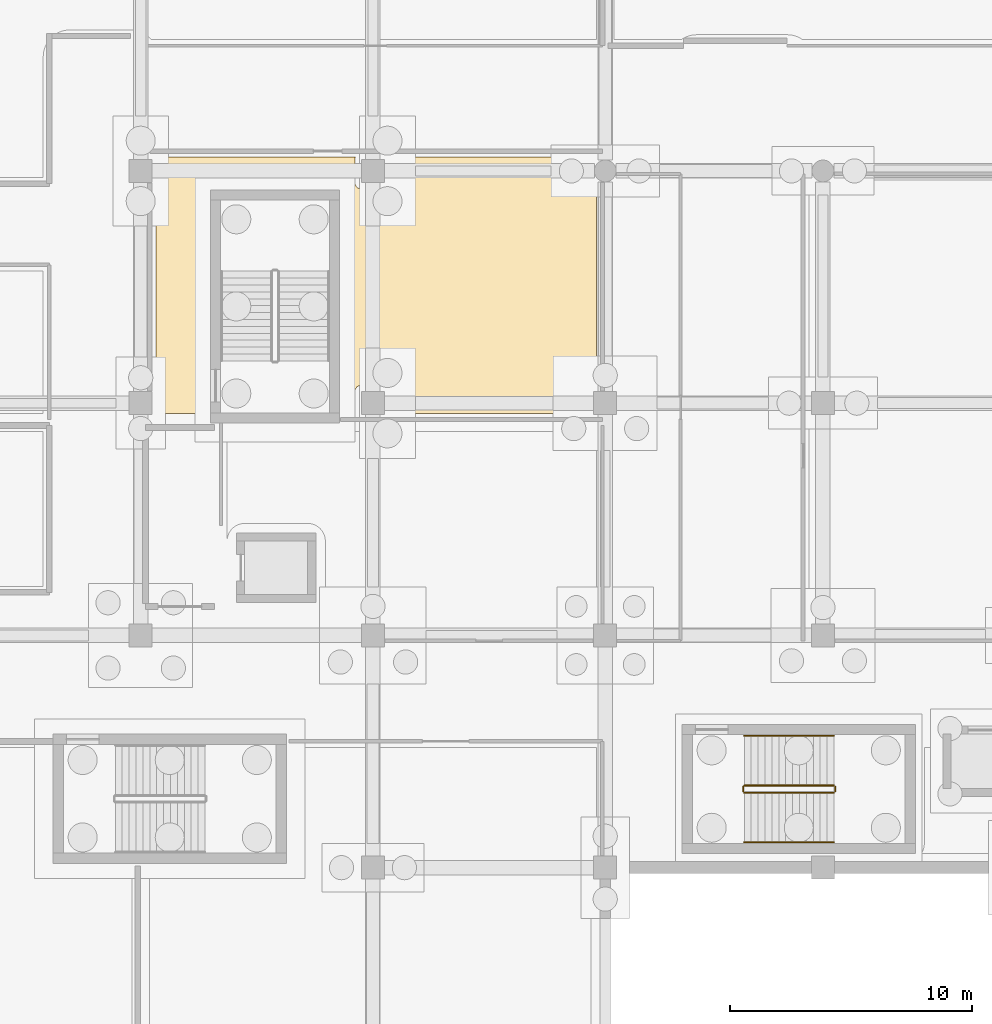
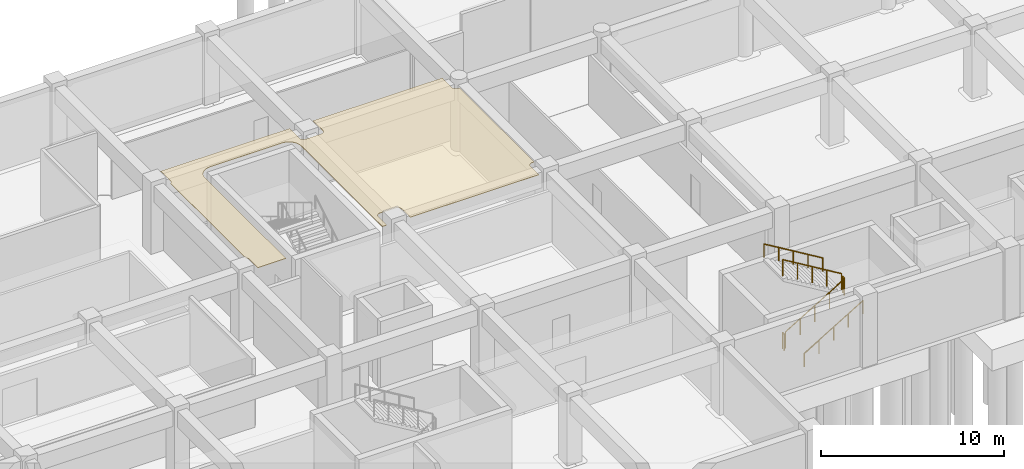
# One storey, part 31 of 47: 6 railings, 1 covering.
"""IFC4 building model written with IfcOpenShell, lengths in metres."""

import ifcopenshell
import ifcopenshell.guid

model = None  # the IFC model being written
_history = None  # IfcOwnerHistory: only IFC2X3 demands one
_inside = {}  # id of a spatial element -> (the spatial element, [elements in it])
_under = {}  # id of a project, library or spatial element -> (it, [spatial elements below it])
_declared = {}  # id of a project -> (the project, [libraries it declares])
_typed = {}  # id of a type object -> (the type object, [elements of that type])
_made_of = {}  # id of a material, layer set ... -> (it, [elements and type objects made of it])


def new_model(schema):
    """Start an empty IFC model of exactly this schema.

    Asked for "IFC4X3", IfcOpenShell would pick the latest addendum, in which some entities
    have other attributes; the version numbers below select the first issue.
    IFC2X3 requires an IfcOwnerHistory on every rooted entity: one is made here for all.
    """
    global model, _history
    if schema == "IFC4X3":
        model = ifcopenshell.file(schema_version=(4, 3, 0, 0))
    else:
        model = ifcopenshell.file(schema=schema)
    _inside.clear()
    _under.clear()
    _declared.clear()
    _typed.clear()
    _made_of.clear()
    _history = None
    if model.schema == "IFC2X3":
        org = make("IfcOrganization", Name="unknown")
        user = make(
            "IfcPersonAndOrganization",
            ThePerson=make("IfcPerson", FamilyName="unknown"),
            TheOrganization=org,
        )
        app = make(
            "IfcApplication",
            ApplicationDeveloper=org,
            Version="unknown",
            ApplicationFullName="unknown",
            ApplicationIdentifier="unknown",
        )
        _history = make(
            "IfcOwnerHistory",
            OwningUser=user,
            OwningApplication=app,
            ChangeAction="ADDED",
            CreationDate=0,
        )
    return model


def make(cls, **values):
    """One entity of the class cls with the attributes given. An attribute that is None is left unset."""
    return model.create_entity(
        cls, **{name: value for name, value in values.items() if value is not None}
    )


def rooted(cls, **values):
    """An entity with a GlobalId (a new one), such as an element, a storey or a relation."""
    return make(cls, GlobalId=ifcopenshell.guid.new(), OwnerHistory=_history, **values)


def si_unit(unit_type, name, prefix=None):
    """IfcSIUnit, for example si_unit("LENGTHUNIT", "METRE", prefix="MILLI")."""
    return make("IfcSIUnit", UnitType=unit_type, Prefix=prefix, Name=name)


def assignment(units):
    """IfcUnitAssignment: the units of a project."""
    return None if units is None else make("IfcUnitAssignment", Units=units)


def point(xyz):
    """IfcCartesianPoint."""
    return None if xyz is None else make("IfcCartesianPoint", Coordinates=xyz)


def direction(xyz):
    """IfcDirection."""
    return None if xyz is None else make("IfcDirection", DirectionRatios=xyz)


def frame(location, z_axis=None, x_axis=None):
    """IfcAxis2Placement3D, a coordinate frame: its origin and axes. An axis left out is left unset."""
    return make(
        "IfcAxis2Placement3D",
        Location=point(location),
        Axis=direction(z_axis),
        RefDirection=direction(x_axis),
    )


def frame_2d(location, x_axis=None):
    """IfcAxis2Placement2D, a coordinate frame in the plane: its origin and x axis."""
    return make(
        "IfcAxis2Placement2D", Location=point(location), RefDirection=direction(x_axis)
    )


def origin():
    """The frame at (0, 0, 0) with its axes left unset."""
    return frame((0.0, 0.0, 0.0))


def origin_2d():
    """The frame at (0, 0) in the plane with its x axis left unset."""
    return frame_2d((0.0, 0.0))


def place(relative_to, where):
    """IfcLocalPlacement: puts the frame where relative to a parent placement (None: the world)."""
    return make(
        "IfcLocalPlacement", PlacementRelTo=relative_to, RelativePlacement=where
    )


def context(
    kind, dimensions, precision=None, world=None, true_north=None, identifier=None
):
    """IfcGeometricRepresentationContext, for example the 3D "Model" context."""
    return make(
        "IfcGeometricRepresentationContext",
        ContextIdentifier=identifier,
        ContextType=kind,
        CoordinateSpaceDimension=dimensions,
        Precision=precision,
        WorldCoordinateSystem=world,
        TrueNorth=true_north,
    )


def subcontext(parent, identifier, kind, view, scale=None):
    """IfcGeometricRepresentationSubContext, for example "Body" below "Model"."""
    return make(
        "IfcGeometricRepresentationSubContext",
        ContextIdentifier=identifier,
        ContextType=kind,
        ParentContext=parent,
        TargetScale=scale,
        TargetView=view,
    )


def project(units=None, contexts=None):
    """IfcProject with its units and contexts."""
    return rooted(
        "IfcProject",
        Name="project",
        RepresentationContexts=contexts,
        UnitsInContext=assignment(units),
    )


def spatial(cls, under=None, at=None, **own):
    """A site, building, storey or space (cls), placed at a placement, below another one or the project."""
    s = rooted(cls, ObjectPlacement=at, **own)
    if under is not None:
        _under.setdefault(under.id(), (under, []))[1].append(s)
    return s


def polyline(points):
    """IfcPolyline through the points."""
    return make("IfcPolyline", Points=[point(p) for p in points])


def profile(cls, at=None, kind="AREA", **sizes):
    """A parametric profile (cls). Its sizes go by their IFC names, for example OverallWidth=200.0."""
    return make(cls, ProfileType=kind, Position=at, **sizes)


def circle(**sizes):
    """IfcCircleProfileDef."""
    return profile("IfcCircleProfileDef", **sizes)


def outline(outer, holes=None, kind="AREA"):
    """IfcArbitraryClosedProfileDef: a profile drawn as a closed curve; with holes, ...WithVoids."""
    if holes is None:
        return make("IfcArbitraryClosedProfileDef", ProfileType=kind, OuterCurve=outer)
    return make(
        "IfcArbitraryProfileDefWithVoids",
        ProfileType=kind,
        OuterCurve=outer,
        InnerCurves=holes,
    )


def extrude(swept, where, along, depth):
    """IfcExtrudedAreaSolid: the profile swept, set in the frame where, extruded along a direction by depth."""
    return make(
        "IfcExtrudedAreaSolid",
        SweptArea=swept,
        Position=where,
        ExtrudedDirection=direction(along),
        Depth=depth,
    )


def shape(context_of_items, identifier, shape_type, items):
    """IfcShapeRepresentation: the items that make up one representation, for example the "Body"."""
    return make(
        "IfcShapeRepresentation",
        ContextOfItems=context_of_items,
        RepresentationIdentifier=identifier,
        RepresentationType=shape_type,
        Items=items,
    )


def material(Name=None, Category=None):
    """IfcMaterial."""
    return make("IfcMaterial", Name=Name, Category=Category)


def layer(
    of_material, thickness, ventilated=None, Name=None, Category=None, Priority=None
):
    """IfcMaterialLayer: one layer of a wall or slab, of a material (None: an air gap)."""
    return make(
        "IfcMaterialLayer",
        Material=of_material,
        LayerThickness=thickness,
        IsVentilated=ventilated,
        Name=Name,
        Category=Category,
        Priority=Priority,
    )


def layer_set(layers, Name=None):
    """IfcMaterialLayerSet."""
    return make("IfcMaterialLayerSet", MaterialLayers=layers, LayerSetName=Name)


def made_of(thing, what):
    """Note that an element or type object is made of a material, layer set ...; save() writes the relation."""
    if what is not None:
        _made_of.setdefault(what.id(), (what, []))[1].append(thing)
    return thing


def type_object(cls, material=None, **own):
    """A type object (cls), such as IfcWallType, which elements share."""
    return made_of(rooted(cls, **own), material)


def element(
    cls,
    number,
    at=None,
    inside=None,
    cuts=None,
    type_object=None,
    material=None,
    context=None,
    identifier="Body",
    shape_type=None,
    held_by="IfcProductDefinitionShape",
    body=None,
    shapes=None,
    **own,
):
    """One element of the class cls, such as IfcWall. Its Tag is "e" and its number.

    at: its placement. inside: the storey or other place that contains it. cuts: it is an
    opening in that element (IfcRelVoidsElement). A single representation is given by context,
    identifier, shape_type and body (its items); several are given by shapes. held_by: the class
    of the entity that holds the representations. save() writes the other relations.
    """
    e = rooted(cls, Tag="e%d" % number, ObjectPlacement=at, **own)
    if body is not None:
        shapes = [shape(context, identifier, shape_type, body)]
    if shapes is not None:
        e.Representation = make(held_by, Representations=shapes)
    if inside is not None:
        _inside.setdefault(inside.id(), (inside, []))[1].append(e)
    if cuts is not None:
        rooted(
            "IfcRelVoidsElement", RelatingBuildingElement=cuts, RelatedOpeningElement=e
        )
    if type_object is not None:
        _typed.setdefault(type_object.id(), (type_object, []))[1].append(e)
    return made_of(e, material)


def aggregate(whole, parts):
    """IfcRelAggregates: a whole, such as a stair, and the parts it consists of."""
    return rooted("IfcRelAggregates", RelatingObject=whole, RelatedObjects=parts)


def save(model, path):
    """Write the relations noted so far, then the file.

    IfcRelAggregates (storeys below a building ...), IfcRelContainedInSpatialStructure (elements
    in a storey), IfcRelDefinesByType, IfcRelAssociatesMaterial and IfcRelDeclares: one each for
    every whole, place, type object, material and project.
    """
    for whole, parts in _under.values():
        aggregate(whole, parts)
    for where, things in _inside.values():
        rooted(
            "IfcRelContainedInSpatialStructure",
            RelatedElements=things,
            RelatingStructure=where,
        )
    for kind, things in _typed.values():
        rooted("IfcRelDefinesByType", RelatedObjects=things, RelatingType=kind)
    for what, things in _made_of.values():
        rooted("IfcRelAssociatesMaterial", RelatedObjects=things, RelatingMaterial=what)
    for by, libraries in _declared.values():
        rooted("IfcRelDeclares", RelatingContext=by, RelatedDefinitions=libraries)
    model.write(path)


model = new_model("IFC4")

# Units and contexts
model_context = context("Model", 3, precision=1e-05, world=origin(), true_north=direction((0.0, 1.0)))
body_context = subcontext(model_context, "Body", "Model", "MODEL_VIEW")
ifc_project = project(units=[si_unit("LENGTHUNIT", "METRE"), si_unit("AREAUNIT", "SQUARE_METRE"), si_unit("VOLUMEUNIT", "CUBIC_METRE"), si_unit("PLANEANGLEUNIT", "RADIAN"), si_unit("MASSUNIT", "GRAM", prefix="KILO")], contexts=[model_context])

# Site, building, storey
site_placement = place(None, origin())
site = spatial("IfcSite", under=ifc_project, at=site_placement, CompositionType="ELEMENT")
building_placement = place(site_placement, origin())
building = spatial("IfcBuilding", under=site, at=building_placement, Name="Cendralis Terraced Arcade", CompositionType="ELEMENT")
storey_placement = place(building_placement, frame((0.0, 0.0, -4.800048828125)))
storey = spatial("IfcBuildingStorey", under=building, at=storey_placement, Name="B1", CompositionType="ELEMENT", Elevation=-4.800048828125)

# Covering
ifc_material_1 = material(Name="Warm Andean oak timber", Category="wood")
ifc_layer = layer(ifc_material_1, 0.034912109375, Name="COV-CEIL-OAK-35")
ifc_layer_set = layer_set([ifc_layer], Name="Warm Andean oak timber")
covering_type = type_object("IfcCoveringType", Name="COV-CEIL-OAK-35", PredefinedType="CEILING", material=ifc_layer_set)
covering_placement = place(storey_placement, frame((0.0, 0.0, 4.465087890625)))
element("IfcCovering", 1, at=covering_placement, inside=storey, type_object=covering_type, Name="Acoustic Soffit Ceiling B1-005", PredefinedType="CEILING", context=body_context, shape_type="SweptSolid", body=[
    extrude(outline(polyline([(48.7451171875, 29.27490234375), (48.74462890625, 29.287353515625), (48.74462890625, 29.289306640625), (48.7421875, 29.313720703125), (48.741943359375, 29.315673828125), (48.737060546875, 29.339599609375), (48.736572265625, 29.341552734375), (48.7294921875, 29.364990234375), (48.72900390625, 29.366943359375), (48.719482421875, 29.389404296875), (48.718505859375, 29.391357421875), (48.70703125, 29.4130859375), (48.7060546875, 29.41455078125), (48.6923828125, 29.43505859375), (48.69140625, 29.4365234375), (48.67578125, 29.45556640625), (48.67431640625, 29.45703125), (48.656982421875, 29.474365234375), (48.655517578125, 29.4755859375), (48.63671875, 29.4912109375), (48.635009765625, 29.492431640625), (48.6298828125, 29.495849609375), (48.6298828125, 37.7041015625), (48.635009765625, 37.70751953125), (48.63671875, 37.708740234375), (48.655517578125, 37.724365234375), (48.656982421875, 37.7255859375), (48.67431640625, 37.742919921875), (48.67578125, 37.744384765625), (48.69140625, 37.763427734375), (48.6923828125, 37.764892578125), (48.7060546875, 37.785400390625), (48.70703125, 37.787109375), (48.718505859375, 37.80859375), (48.719482421875, 37.810546875), (48.72900390625, 37.8330078125), (48.7294921875, 37.8349609375), (48.736572265625, 37.8583984375), (48.737060546875, 37.8603515625), (48.741943359375, 37.884521484375), (48.7421875, 37.886474609375), (48.74462890625, 37.910888671875), (48.74462890625, 37.91259765625), (48.7451171875, 37.925048828125), (48.7451171875, 38.875), (48.74462890625, 38.88720703125), (48.74462890625, 38.88916015625), (48.7421875, 38.91357421875), (48.741943359375, 38.91552734375), (48.737060546875, 38.939697265625), (48.736572265625, 38.941650390625), (48.7294921875, 38.965087890625), (48.72900390625, 38.966796875), (48.7275390625, 38.969970703125), (56.872314453125, 38.969970703125), (56.87109375, 38.966796875), (56.87060546875, 38.965087890625), (56.86328125, 38.941650390625), (56.86279296875, 38.939697265625), (56.858154296875, 38.91552734375), (56.85791015625, 38.91357421875), (56.85546875, 38.88916015625), (56.855224609375, 38.88720703125), (56.85498046875, 38.875), (56.85498046875, 37.925048828125), (56.855224609375, 37.91259765625), (56.85546875, 37.910888671875), (56.85791015625, 37.886474609375), (56.858154296875, 37.884521484375), (56.86279296875, 37.8603515625), (56.86328125, 37.8583984375), (56.87060546875, 37.8349609375), (56.87109375, 37.8330078125), (56.880615234375, 37.810546875), (56.88134765625, 37.80859375), (56.892822265625, 37.787109375), (56.893798828125, 37.785400390625), (56.90771484375, 37.764892578125), (56.90869140625, 37.763427734375), (56.92431640625, 37.744384765625), (56.925537109375, 37.742919921875), (56.943115234375, 37.7255859375), (56.9443359375, 37.724365234375), (56.96337890625, 37.708740234375), (56.965087890625, 37.70751953125), (56.9853515625, 37.69384765625), (56.987060546875, 37.69287109375), (57.0087890625, 37.681396484375), (57.010498046875, 37.680419921875), (57.033203125, 37.671142578125), (57.034912109375, 37.67041015625), (57.058349609375, 37.663330078125), (57.060302734375, 37.662841796875), (57.08447265625, 37.658203125), (57.08642578125, 37.65771484375), (57.11083984375, 37.655517578125), (57.11279296875, 37.6552734375), (57.125, 37.655029296875), (58.074951171875, 37.655029296875), (58.08740234375, 37.6552734375), (58.089111328125, 37.655517578125), (58.113525390625, 37.65771484375), (58.115478515625, 37.658203125), (58.1396484375, 37.662841796875), (58.1416015625, 37.663330078125), (58.1650390625, 37.67041015625), (58.1669921875, 37.671142578125), (58.189453125, 37.680419921875), (58.19140625, 37.681396484375), (58.212890625, 37.69287109375), (58.214599609375, 37.69384765625), (58.235107421875, 37.70751953125), (58.236572265625, 37.708740234375), (58.255615234375, 37.724365234375), (58.257080078125, 37.7255859375), (58.2744140625, 37.742919921875), (58.275634765625, 37.744384765625), (58.291259765625, 37.763427734375), (58.29248046875, 37.764892578125), (58.30615234375, 37.785400390625), (58.30712890625, 37.787109375), (58.318603515625, 37.80859375), (58.319580078125, 37.810546875), (58.328857421875, 37.8330078125), (58.32958984375, 37.8349609375), (58.336669921875, 37.8583984375), (58.337158203125, 37.8603515625), (58.341796875, 37.884521484375), (58.34228515625, 37.886474609375), (58.344482421875, 37.910888671875), (58.3447265625, 37.91259765625), (58.344970703125, 37.925048828125), (58.344970703125, 38.875), (58.3447265625, 38.88720703125), (58.344482421875, 38.88916015625), (58.34228515625, 38.91357421875), (58.341796875, 38.91552734375), (58.337158203125, 38.939697265625), (58.336669921875, 38.941650390625), (58.32958984375, 38.965087890625), (58.328857421875, 38.966796875), (58.32763671875, 38.969970703125), (66.50830078125, 38.969970703125), (66.50634765625, 38.96630859375), (66.505615234375, 38.964599609375), (66.49609375, 38.94189453125), (66.49560546875, 38.93994140625), (66.48828125, 38.91650390625), (66.48779296875, 38.91455078125), (66.483154296875, 38.890625), (66.48291015625, 38.888671875), (66.48046875, 38.8642578125), (66.480224609375, 38.8623046875), (66.47998046875, 38.85009765625), (66.47998046875, 37.949951171875), (66.480224609375, 37.937744140625), (66.48046875, 37.935791015625), (66.48291015625, 37.911376953125), (66.483154296875, 37.909423828125), (66.48779296875, 37.885498046875), (66.48828125, 37.88330078125), (66.49560546875, 37.860107421875), (66.49609375, 37.858154296875), (66.505615234375, 37.83544921875), (66.50634765625, 37.833740234375), (66.517822265625, 37.81201171875), (66.518798828125, 37.810302734375), (66.53271484375, 37.7900390625), (66.53369140625, 37.788330078125), (66.54931640625, 37.769287109375), (66.550537109375, 37.76806640625), (66.568115234375, 37.75048828125), (66.5693359375, 37.749267578125), (66.58837890625, 37.733642578125), (66.590087890625, 37.732666015625), (66.6103515625, 37.718994140625), (66.612060546875, 37.718017578125), (66.6337890625, 37.706298828125), (66.635498046875, 37.70556640625), (66.658203125, 37.696044921875), (66.659912109375, 37.695556640625), (66.683349609375, 37.6884765625), (66.685302734375, 37.68798828125), (66.70947265625, 37.68310546875), (66.71142578125, 37.682861328125), (66.73583984375, 37.680419921875), (66.73779296875, 37.680419921875), (66.75, 37.679931640625), (66.830078125, 37.679931640625), (66.830078125, 29.544921875), (66.72509765625, 29.544921875), (66.712646484375, 29.544677734375), (66.710693359375, 29.544677734375), (66.686279296875, 29.542236328125), (66.684326171875, 29.5419921875), (66.660400390625, 29.537109375), (66.658447265625, 29.53662109375), (66.635009765625, 29.529541015625), (66.633056640625, 29.52880859375), (66.610595703125, 29.51953125), (66.608642578125, 29.5185546875), (66.5869140625, 29.507080078125), (66.58544921875, 29.506103515625), (66.56494140625, 29.492431640625), (66.5634765625, 29.4912109375), (66.54443359375, 29.4755859375), (66.54296875, 29.474365234375), (66.525634765625, 29.45703125), (66.5244140625, 29.45556640625), (66.5087890625, 29.4365234375), (66.507568359375, 29.43505859375), (66.493896484375, 29.41455078125), (66.492919921875, 29.4130859375), (66.4814453125, 29.391357421875), (66.48046875, 29.389404296875), (66.47119140625, 29.366943359375), (66.470458984375, 29.364990234375), (66.46337890625, 29.341552734375), (66.462890625, 29.339599609375), (66.4580078125, 29.315673828125), (66.457763671875, 29.313720703125), (66.455322265625, 29.289306640625), (66.455322265625, 29.287353515625), (66.455078125, 29.27490234375), (66.455078125, 28.3701171875), (58.344970703125, 28.3701171875), (58.344970703125, 29.27490234375), (58.3447265625, 29.287353515625), (58.344482421875, 29.289306640625), (58.34228515625, 29.313720703125), (58.341796875, 29.315673828125), (58.337158203125, 29.339599609375), (58.336669921875, 29.341552734375), (58.32958984375, 29.364990234375), (58.328857421875, 29.366943359375), (58.319580078125, 29.389404296875), (58.318603515625, 29.391357421875), (58.30712890625, 29.4130859375), (58.30615234375, 29.41455078125), (58.29248046875, 29.43505859375), (58.291259765625, 29.4365234375), (58.275634765625, 29.45556640625), (58.2744140625, 29.45703125), (58.257080078125, 29.474365234375), (58.255615234375, 29.4755859375), (58.236572265625, 29.4912109375), (58.235107421875, 29.492431640625), (58.214599609375, 29.506103515625), (58.212890625, 29.507080078125), (58.19140625, 29.5185546875), (58.189453125, 29.51953125), (58.1669921875, 29.52880859375), (58.1650390625, 29.529541015625), (58.1416015625, 29.53662109375), (58.1396484375, 29.537109375), (58.115478515625, 29.5419921875), (58.113525390625, 29.542236328125), (58.089111328125, 29.544677734375), (58.08740234375, 29.544677734375), (58.074951171875, 29.544921875), (57.125, 29.544921875), (57.11279296875, 29.544677734375), (57.11083984375, 29.544677734375), (57.08642578125, 29.542236328125), (57.08447265625, 29.5419921875), (57.060302734375, 29.537109375), (57.058349609375, 29.53662109375), (57.034912109375, 29.529541015625), (57.033203125, 29.52880859375), (57.010498046875, 29.51953125), (57.0087890625, 29.5185546875), (56.987060546875, 29.507080078125), (56.9853515625, 29.506103515625), (56.965087890625, 29.492431640625), (56.96337890625, 29.4912109375), (56.9443359375, 29.4755859375), (56.943115234375, 29.474365234375), (56.925537109375, 29.45703125), (56.92431640625, 29.45556640625), (56.90869140625, 29.4365234375), (56.90771484375, 29.43505859375), (56.893798828125, 29.41455078125), (56.892822265625, 29.4130859375), (56.88134765625, 29.391357421875), (56.880615234375, 29.389404296875), (56.87109375, 29.366943359375), (56.87060546875, 29.364990234375), (56.86328125, 29.341552734375), (56.86279296875, 29.339599609375), (56.858154296875, 29.315673828125), (56.85791015625, 29.313720703125), (56.85546875, 29.289306640625), (56.855224609375, 29.287353515625), (56.85498046875, 29.27490234375), (56.85498046875, 28.3701171875), (56.589111328125, 28.3701171875), (56.589599609375, 28.3818359375), (56.58984375, 28.387939453125), (56.58984375, 28.393798828125), (56.590087890625, 28.39990234375), (56.590087890625, 37.199951171875), (56.58984375, 37.2060546875), (56.58984375, 37.2119140625), (56.589599609375, 37.21826171875), (56.58740234375, 37.25927734375), (56.586669921875, 37.271484375), (56.58544921875, 37.283203125), (56.583984375, 37.29541015625), (56.577880859375, 37.336181640625), (56.57568359375, 37.348388671875), (56.573486328125, 37.35986328125), (56.57080078125, 37.371826171875), (56.560791015625, 37.411865234375), (56.5576171875, 37.423583984375), (56.55419921875, 37.434814453125), (56.55029296875, 37.446533203125), (56.536376953125, 37.4853515625), (56.531982421875, 37.496826171875), (56.527587890625, 37.5078125), (56.5224609375, 37.518798828125), (56.5048828125, 37.55615234375), (56.49951171875, 37.567138671875), (56.493896484375, 37.577392578125), (56.48779296875, 37.588134765625), (56.466552734375, 37.62353515625), (56.4599609375, 37.6337890625), (56.45361328125, 37.643798828125), (56.4462890625, 37.65380859375), (56.421875, 37.68701171875), (56.414306640625, 37.696533203125), (56.40673828125, 37.70556640625), (56.398681640625, 37.71484375), (56.37109375, 37.74560546875), (56.36279296875, 37.75439453125), (56.354248046875, 37.7626953125), (56.345458984375, 37.77099609375), (56.31494140625, 37.798828125), (56.3056640625, 37.806884765625), (56.29638671875, 37.814208984375), (56.286865234375, 37.822021484375), (56.253662109375, 37.846435546875), (56.24365234375, 37.853515625), (56.23388671875, 37.860107421875), (56.2236328125, 37.86669921875), (56.188232421875, 37.8876953125), (56.177490234375, 37.893798828125), (56.1669921875, 37.8994140625), (56.15625, 37.90478515625), (56.118896484375, 37.922607421875), (56.107666015625, 37.927490234375), (56.0966796875, 37.931884765625), (56.08544921875, 37.936279296875), (56.046630859375, 37.9501953125), (56.034912109375, 37.9541015625), (56.023681640625, 37.95751953125), (56.01171875, 37.960693359375), (55.9716796875, 37.970703125), (55.9599609375, 37.973388671875), (55.9482421875, 37.975830078125), (55.936279296875, 37.977783203125), (55.8955078125, 37.98388671875), (55.88330078125, 37.985595703125), (55.87158203125, 37.986572265625), (55.859375, 37.987548828125), (55.818115234375, 37.989501953125), (55.81201171875, 37.98974609375), (55.80615234375, 37.989990234375), (55.800048828125, 37.989990234375), (51.300048828125, 37.989990234375), (51.2939453125, 37.989990234375), (51.2880859375, 37.98974609375), (51.28173828125, 37.989501953125), (51.24072265625, 37.987548828125), (51.228515625, 37.986572265625), (51.216796875, 37.985595703125), (51.20458984375, 37.98388671875), (51.163818359375, 37.977783203125), (51.151611328125, 37.975830078125), (51.14013671875, 37.973388671875), (51.128173828125, 37.970703125), (51.088134765625, 37.960693359375), (51.076416015625, 37.95751953125), (51.065185546875, 37.9541015625), (51.053466796875, 37.9501953125), (51.0146484375, 37.936279296875), (51.003173828125, 37.931884765625), (50.9921875, 37.927490234375), (50.981201171875, 37.922607421875), (50.94384765625, 37.90478515625), (50.932861328125, 37.8994140625), (50.922607421875, 37.893798828125), (50.911865234375, 37.8876953125), (50.87646484375, 37.86669921875), (50.8662109375, 37.860107421875), (50.856201171875, 37.853515625), (50.84619140625, 37.846435546875), (50.81298828125, 37.822021484375), (50.803466796875, 37.814208984375), (50.79443359375, 37.806884765625), (50.78515625, 37.798828125), (50.75439453125, 37.77099609375), (50.74560546875, 37.7626953125), (50.7373046875, 37.75439453125), (50.72900390625, 37.74560546875), (50.701171875, 37.71484375), (50.693115234375, 37.70556640625), (50.685791015625, 37.696533203125), (50.677978515625, 37.68701171875), (50.653564453125, 37.65380859375), (50.646484375, 37.643798828125), (50.639892578125, 37.6337890625), (50.63330078125, 37.62353515625), (50.6123046875, 37.588134765625), (50.606201171875, 37.577392578125), (50.6005859375, 37.567138671875), (50.59521484375, 37.55615234375), (50.577392578125, 37.518798828125), (50.572509765625, 37.5078125), (50.568115234375, 37.496826171875), (50.563720703125, 37.4853515625), (50.5498046875, 37.446533203125), (50.5458984375, 37.434814453125), (50.54248046875, 37.423583984375), (50.539306640625, 37.411865234375), (50.529296875, 37.371826171875), (50.526611328125, 37.35986328125), (50.524169921875, 37.348388671875), (50.522216796875, 37.336181640625), (50.51611328125, 37.29541015625), (50.514404296875, 37.283203125), (50.513427734375, 37.271484375), (50.512451171875, 37.25927734375), (50.510498046875, 37.21826171875), (50.51025390625, 37.2119140625), (50.510009765625, 37.2060546875), (50.510009765625, 37.199951171875), (50.510009765625, 28.39990234375), (50.510009765625, 28.393798828125), (50.51025390625, 28.387939453125), (50.510498046875, 28.3818359375), (50.510986328125, 28.3701171875), (48.7451171875, 28.3701171875), (48.7451171875, 29.27490234375)])), origin(), (0.0, 0.0, 1.0), 0.034912109375),
])

# Railings
ifc_material_2 = material(Name="Brushed stainless steel AISI 316", Category="steel")
railing_type_1 = type_object("IfcRailingType", Name="RL-STAIR-GUARD-1100", PredefinedType="GUARDRAIL", material=ifc_material_2)
railing_1_placement = place(storey_placement, frame((72.949951171875, 12.699951171875, 0.17138671875)))
element("IfcRailing", 2, at=railing_1_placement, inside=storey, type_object=railing_type_1, Name="B1 ST-08 stair guard 1", PredefinedType="GUARDRAIL", context=body_context, shape_type="SweptSolid", body=[
    extrude(circle(Radius=0.02392578125, at=origin_2d()), frame((0.0, 0.0, 1.076171875), z_axis=(0.856909459561, 0.0, 0.515466951525), x_axis=(0.0, 1.0, 0.0)), (0.0, 0.0, 1.0), 4.32373046875),
    extrude(circle(Radius=0.02099609375, at=origin_2d()), origin(), (0.0, 0.0, 1.0), 1.052001953125),
    extrude(circle(Radius=0.02099609375, at=origin_2d()), frame((0.92626953125, 0.0, 0.55712890625)), (0.0, 0.0, 1.0), 1.052001953125),
    extrude(circle(Radius=0.02099609375, at=origin_2d()), frame((1.8525390625, 0.0, 1.1142578125)), (0.0, 0.0, 1.0), 1.052001953125),
    extrude(circle(Radius=0.02099609375, at=origin_2d()), frame((2.77880859375, 0.0, 1.671630859375)), (0.0, 0.0, 1.0), 1.052001953125),
    extrude(circle(Radius=0.02099609375, at=origin_2d()), frame((3.705078125, 0.0, 2.228759765625)), (0.0, 0.0, 1.0), 1.052001953125),
])
railing_2_placement = place(storey_placement, frame((76.705078125, 12.75, 2.400146484375)))
element("IfcRailing", 3, at=railing_2_placement, inside=storey, type_object=railing_type_1, Name="B1 ST-08 stair guard 2", PredefinedType="GUARDRAIL", context=body_context, shape_type="SweptSolid", body=[
    extrude(circle(Radius=0.02392578125, at=origin_2d()), frame((0.0, 0.0, 1.076171875), z_axis=(0.0, 1.0, 0.0), x_axis=(-1.0, 0.0, 0.0)), (0.0, 0.0, 1.0), 0.199951171875),
    extrude(circle(Radius=0.02099609375, at=origin_2d()), origin(), (0.0, 0.0, 1.0), 1.052001953125),
    extrude(circle(Radius=0.02099609375, at=origin_2d()), frame((0.0, 0.199951171875, 0.0)), (0.0, 0.0, 1.0), 1.052001953125),
])
railing_3_placement = place(storey_placement, frame((76.655029296875, 13.0, 2.571533203125)))
element("IfcRailing", 4, at=railing_3_placement, inside=storey, type_object=railing_type_1, Name="B1 ST-08 stair guard 3", PredefinedType="GUARDRAIL", context=body_context, shape_type="SweptSolid", body=[
    extrude(circle(Radius=0.02392578125, at=origin_2d()), frame((0.0, 0.0, 1.076171875), z_axis=(-0.856934400257, 0.0, 0.515425487977), x_axis=(0.0, -1.0, 0.0)), (0.0, 0.0, 1.0), 4.32373046875),
    extrude(circle(Radius=0.02099609375, at=origin_2d()), origin(), (0.0, 0.0, 1.0), 1.052001953125),
    extrude(circle(Radius=0.02099609375, at=origin_2d()), frame((-0.92626953125, 0.0, 0.55712890625)), (0.0, 0.0, 1.0), 1.052001953125),
    extrude(circle(Radius=0.02099609375, at=origin_2d()), frame((-1.8525390625, 0.0, 1.1142578125)), (0.0, 0.0, 1.0), 1.052001953125),
    extrude(circle(Radius=0.02099609375, at=origin_2d()), frame((-2.77880859375, 0.0, 1.67138671875)), (0.0, 0.0, 1.0), 1.052001953125),
    extrude(circle(Radius=0.02099609375, at=origin_2d()), frame((-3.705078125, 0.0, 2.228515625)), (0.0, 0.0, 1.0), 1.052001953125),
])
railing_4_placement = place(storey_placement, frame((72.89990234375, 12.75, 0.0)))
element("IfcRailing", 5, at=railing_4_placement, inside=storey, type_object=railing_type_1, Name="B1 ST-08 stair guard 4", PredefinedType="GUARDRAIL", context=body_context, shape_type="SweptSolid", body=[
    extrude(circle(Radius=0.02392578125, at=origin_2d()), frame((0.0, 0.0, 1.076171875), z_axis=(0.0, 1.0, 0.0), x_axis=(-1.0, 0.0, 0.0)), (0.0, 0.0, 1.0), 0.199951171875),
    extrude(circle(Radius=0.02099609375, at=origin_2d()), origin(), (0.0, 0.0, 1.0), 1.052001953125),
    extrude(circle(Radius=0.02099609375, at=origin_2d()), frame((0.0, 0.199951171875, 0.0)), (0.0, 0.0, 1.0), 1.052001953125),
])
railing_type_2 = type_object("IfcRailingType", Name="RL-STAIR-HAND-900", PredefinedType="HANDRAIL", material=ifc_material_2)
railing_5_placement = place(storey_placement, frame((72.949951171875, 10.64990234375, 0.17138671875)))
element("IfcRailing", 6, at=railing_5_placement, inside=storey, type_object=railing_type_2, Name="B1 ST-08 stair handrail 1", PredefinedType="HANDRAIL", context=body_context, shape_type="SweptSolid", body=[
    extrude(circle(Radius=0.02392578125, at=origin_2d()), frame((0.0, 0.0, 0.8759765625), z_axis=(0.856909459561, 0.0, 0.515466951525), x_axis=(0.0, 1.0, 0.0)), (0.0, 0.0, 1.0), 4.32373046875),
    extrude(circle(Radius=0.02099609375, at=origin_2d()), origin(), (0.0, 0.0, 1.0), 0.851806640625),
    extrude(circle(Radius=0.02099609375, at=origin_2d()), frame((0.92626953125, 0.0, 0.55712890625)), (0.0, 0.0, 1.0), 0.851806640625),
    extrude(circle(Radius=0.02099609375, at=origin_2d()), frame((1.8525390625, 0.0, 1.1142578125)), (0.0, 0.0, 1.0), 0.851806640625),
    extrude(circle(Radius=0.02099609375, at=origin_2d()), frame((2.77880859375, 0.0, 1.671630859375)), (0.0, 0.0, 1.0), 0.851806640625),
    extrude(circle(Radius=0.02099609375, at=origin_2d()), frame((3.705078125, 0.0, 2.228759765625)), (0.0, 0.0, 1.0), 0.851806640625),
])
railing_6_placement = place(storey_placement, frame((76.655029296875, 15.050048828125, 2.571533203125)))
element("IfcRailing", 7, at=railing_6_placement, inside=storey, type_object=railing_type_2, Name="B1 ST-08 stair handrail 2", PredefinedType="HANDRAIL", context=body_context, shape_type="SweptSolid", body=[
    extrude(circle(Radius=0.02392578125, at=origin_2d()), frame((0.0, 0.0, 0.8759765625), z_axis=(-0.856934400257, 0.0, 0.515425487977), x_axis=(0.0, -1.0, 0.0)), (0.0, 0.0, 1.0), 4.32373046875),
    extrude(circle(Radius=0.02099609375, at=origin_2d()), origin(), (0.0, 0.0, 1.0), 0.851806640625),
    extrude(circle(Radius=0.02099609375, at=origin_2d()), frame((-0.92626953125, 0.0, 0.55712890625)), (0.0, 0.0, 1.0), 0.851806640625),
    extrude(circle(Radius=0.02099609375, at=origin_2d()), frame((-1.8525390625, 0.0, 1.1142578125)), (0.0, 0.0, 1.0), 0.851806640625),
    extrude(circle(Radius=0.02099609375, at=origin_2d()), frame((-2.77880859375, 0.0, 1.67138671875)), (0.0, 0.0, 1.0), 0.851806640625),
    extrude(circle(Radius=0.02099609375, at=origin_2d()), frame((-3.705078125, 0.0, 2.228515625)), (0.0, 0.0, 1.0), 0.851806640625),
])

save(model, "model.ifc")
